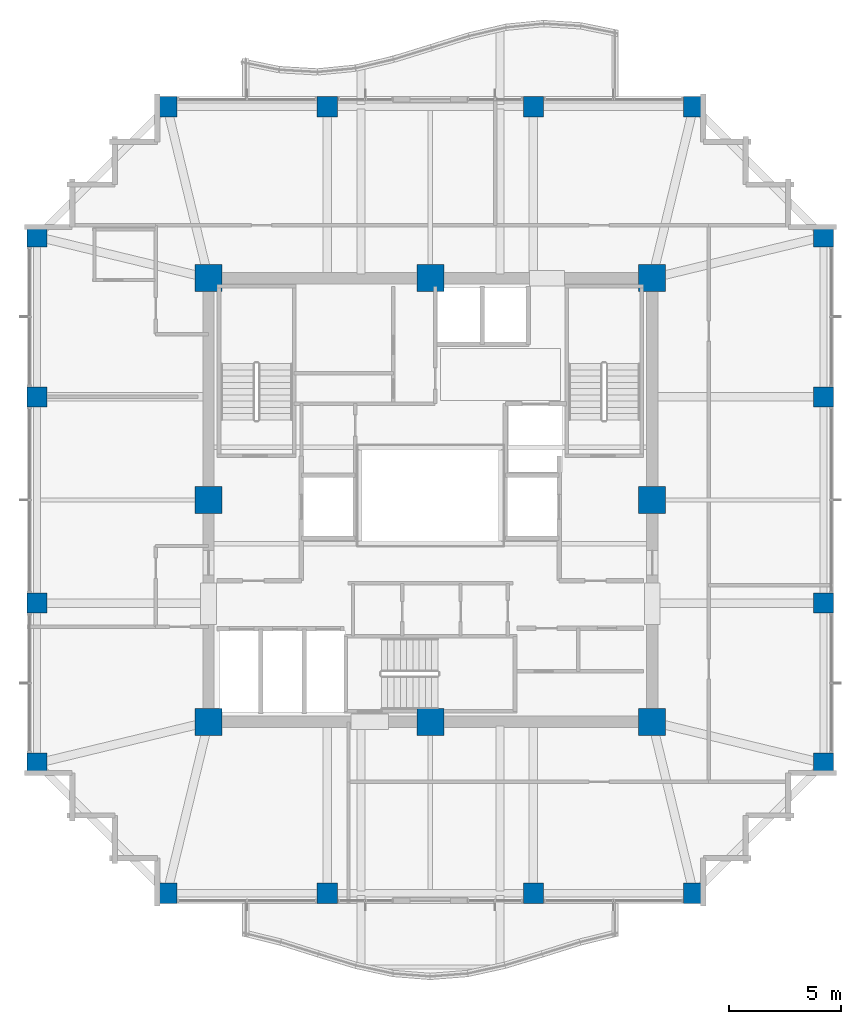
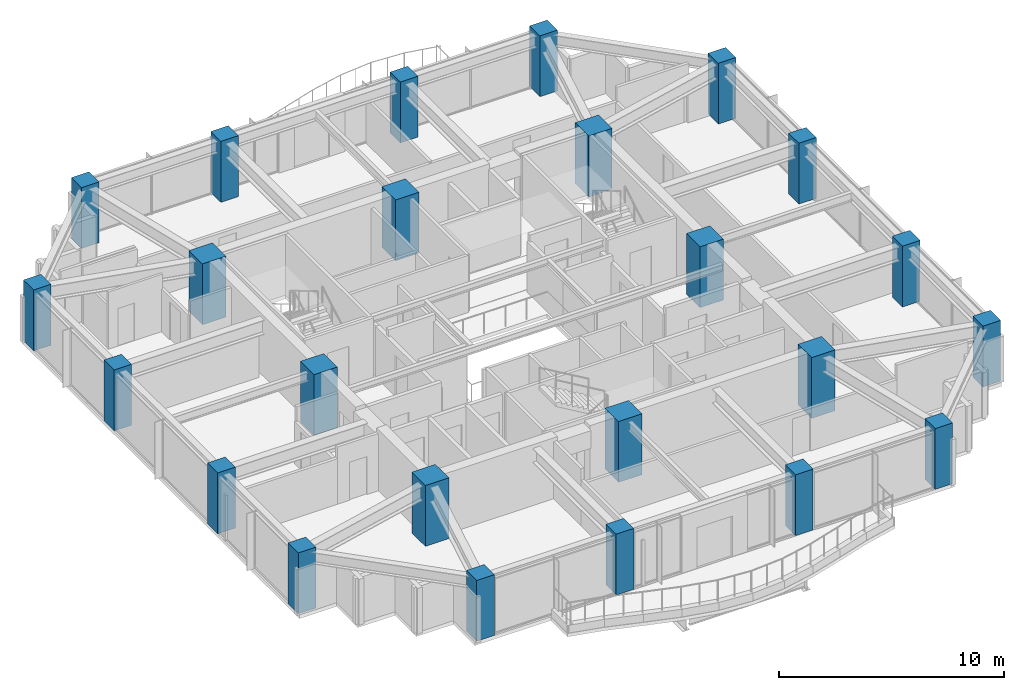
# One storey, part 1 of 31: 24 columns.
"""IFC4 building model written with IfcOpenShell, lengths in metres."""

from ifc_helpers import new_model, si_unit, direction, frame, origin, origin_2d, place, context, subcontext, project, spatial, rectangle, extrude, material, material_profile, profile_set, type_object, element, save


model = new_model("IFC4")

# Units and contexts
model_context = context("Model", 3, precision=1e-05, world=origin(), true_north=direction((0.0, 1.0)))
body_context = subcontext(model_context, "Body", "Model", "MODEL_VIEW")
ifc_project = project(units=[si_unit("LENGTHUNIT", "METRE"), si_unit("AREAUNIT", "SQUARE_METRE"), si_unit("VOLUMEUNIT", "CUBIC_METRE"), si_unit("PLANEANGLEUNIT", "RADIAN"), si_unit("MASSUNIT", "GRAM", prefix="KILO")], contexts=[model_context])

# Site, building, storey
site_placement = place(None, origin())
site = spatial("IfcSite", under=ifc_project, at=site_placement, CompositionType="ELEMENT")
building_placement = place(site_placement, origin())
building = spatial("IfcBuilding", under=site, at=building_placement, Name="Kolvaren Belvedere", CompositionType="ELEMENT")
storey_placement = place(building_placement, frame((0.0, 0.0, 134.89990234375)))
storey = spatial("IfcBuildingStorey", under=building, at=storey_placement, Name="L39", CompositionType="ELEMENT", Elevation=134.89990234375)

# Columns
ifc_material_1 = material(Name="Concrete C60/75", Category="concrete")
ifc_material_profile_1 = material_profile(ifc_material_1, rectangle(XDim=1.199951171875, YDim=1.199951171875, at=origin_2d()), Name="RC 1200X1200")
ifc_profile_set_1 = profile_set([ifc_material_profile_1], Name="Concrete C60/75")
column_type_1 = type_object("IfcColumnType", Name="COL-RC-1200", PredefinedType="COLUMN", material=ifc_profile_set_1)
for number, where, z_axis, x_axis, name in (
    (1, (-9.89990234375, -9.89990234375, 0.0), (0.0, 0.0, 1.0), (1.0, 0.0, 0.0), "L39 Core Column CC1"),
    (2, (9.89990234375, -9.89990234375, 0.0), (0.0, 0.0, 1.0), (1.0, 0.0, 0.0), "L39 Core Column CC2"),
    (3, (9.89990234375, 9.89990234375, 0.0), (0.0, 0.0, 1.0), (1.0, 0.0, 0.0), "L39 Core Column CC3"),
    (4, (-9.89990234375, 9.89990234375, 0.0), (0.0, 0.0, 1.0), (1.0, 0.0, 0.0), "L39 Core Column CC4"),
    (5, (0.0, -9.89990234375, 0.0), (0.0, 0.0, 1.0), (1.0, 0.0, 0.0), "L39 Core Column CM1"),
    (6, (9.89990234375, 0.0, 0.0), (0.0, 0.0, 1.0), (1.0, 0.0, 0.0), "L39 Core Column CM2"),
    (7, (0.0, 9.89990234375, 0.0), (0.0, 0.0, 1.0), (1.0, 0.0, 0.0), "L39 Core Column CM3"),
    (8, (-9.89990234375, 0.0, 0.0), (0.0, 0.0, 1.0), (1.0, 0.0, 0.0), "L39 Core Column CM4"),
):
    element("IfcColumn", number, at=place(storey_placement, frame(where, z_axis=z_axis, x_axis=x_axis)), inside=storey, type_object=column_type_1, Name=name, PredefinedType="COLUMN", context=body_context, shape_type="SweptSolid", body=[
        extrude(rectangle(XDim=1.199951171875, YDim=1.199951171875, at=origin_2d()), origin(), (0.0, 0.0, 1.0), 3.300048828125),
    ])
ifc_material_2 = material(Name="Concrete C50/60", Category="concrete")
ifc_material_profile_2 = material_profile(ifc_material_2, rectangle(XDim=0.89990234375, YDim=0.89990234375, at=origin_2d()), Name="RC 900X900")
ifc_profile_set_2 = profile_set([ifc_material_profile_2], Name="Concrete C50/60")
column_type_2 = type_object("IfcColumnType", Name="COL-RC-900", PredefinedType="COLUMN", material=ifc_profile_set_2)
for number, where, z_axis, x_axis, name in (
    (9, (-11.75, -17.550048828125, 0.0), (0.0, 0.0, 1.0), (1.0, 0.0, 0.0), "L39 Perimeter Column S1"),
    (10, (-4.60009765625, -17.550048828125, 0.0), (0.0, 0.0, 1.0), (1.0, 0.0, 0.0), "L39 Perimeter Column S2"),
    (11, (4.60009765625, -17.550048828125, 0.0), (0.0, 0.0, 1.0), (1.0, 0.0, 0.0), "L39 Perimeter Column S3"),
    (12, (11.75, -17.550048828125, 0.0), (0.0, 0.0, 1.0), (1.0, 0.0, 0.0), "L39 Perimeter Column S4"),
    (13, (-11.75, 17.550048828125, 0.0), (0.0, 0.0, 1.0), (1.0, 0.0, 0.0), "L39 Perimeter Column N1"),
    (14, (-4.60009765625, 17.550048828125, 0.0), (0.0, 0.0, 1.0), (1.0, 0.0, 0.0), "L39 Perimeter Column N2"),
    (15, (4.60009765625, 17.550048828125, 0.0), (0.0, 0.0, 1.0), (1.0, 0.0, 0.0), "L39 Perimeter Column N3"),
    (16, (11.75, 17.550048828125, 0.0), (0.0, 0.0, 1.0), (1.0, 0.0, 0.0), "L39 Perimeter Column N4"),
    (17, (-17.550048828125, -11.75, 0.0), (0.0, 0.0, 1.0), (1.0, 0.0, 0.0), "L39 Perimeter Column W1"),
    (18, (-17.550048828125, -4.60009765625, 0.0), (0.0, 0.0, 1.0), (1.0, 0.0, 0.0), "L39 Perimeter Column W2"),
    (19, (-17.550048828125, 4.60009765625, 0.0), (0.0, 0.0, 1.0), (1.0, 0.0, 0.0), "L39 Perimeter Column W3"),
    (20, (-17.550048828125, 11.75, 0.0), (0.0, 0.0, 1.0), (1.0, 0.0, 0.0), "L39 Perimeter Column W4"),
    (21, (17.550048828125, -11.75, 0.0), (0.0, 0.0, 1.0), (1.0, 0.0, 0.0), "L39 Perimeter Column E1"),
    (22, (17.550048828125, -4.60009765625, 0.0), (0.0, 0.0, 1.0), (1.0, 0.0, 0.0), "L39 Perimeter Column E2"),
    (23, (17.550048828125, 4.60009765625, 0.0), (0.0, 0.0, 1.0), (1.0, 0.0, 0.0), "L39 Perimeter Column E3"),
    (24, (17.550048828125, 11.75, 0.0), (0.0, 0.0, 1.0), (1.0, 0.0, 0.0), "L39 Perimeter Column E4"),
):
    element("IfcColumn", number, at=place(storey_placement, frame(where, z_axis=z_axis, x_axis=x_axis)), inside=storey, type_object=column_type_2, Name=name, PredefinedType="COLUMN", context=body_context, shape_type="SweptSolid", body=[
        extrude(rectangle(XDim=0.89990234375, YDim=0.89990234375, at=origin_2d()), origin(), (0.0, 0.0, 1.0), 3.300048828125),
    ])

save(model, "model.ifc")
